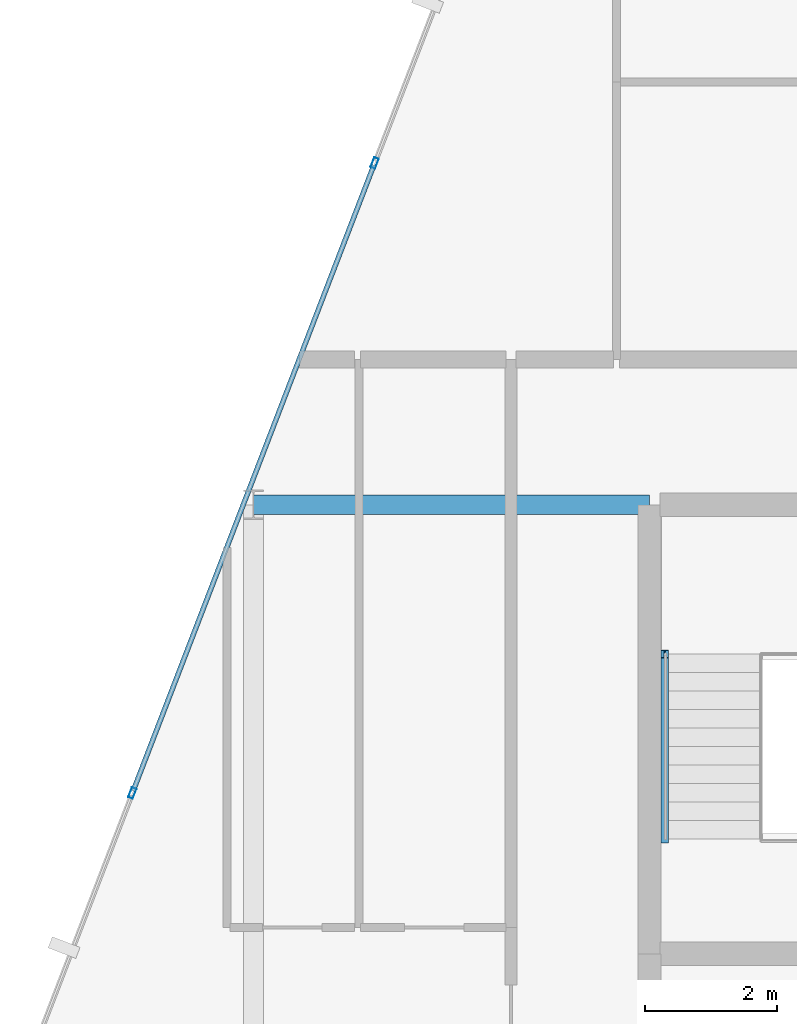
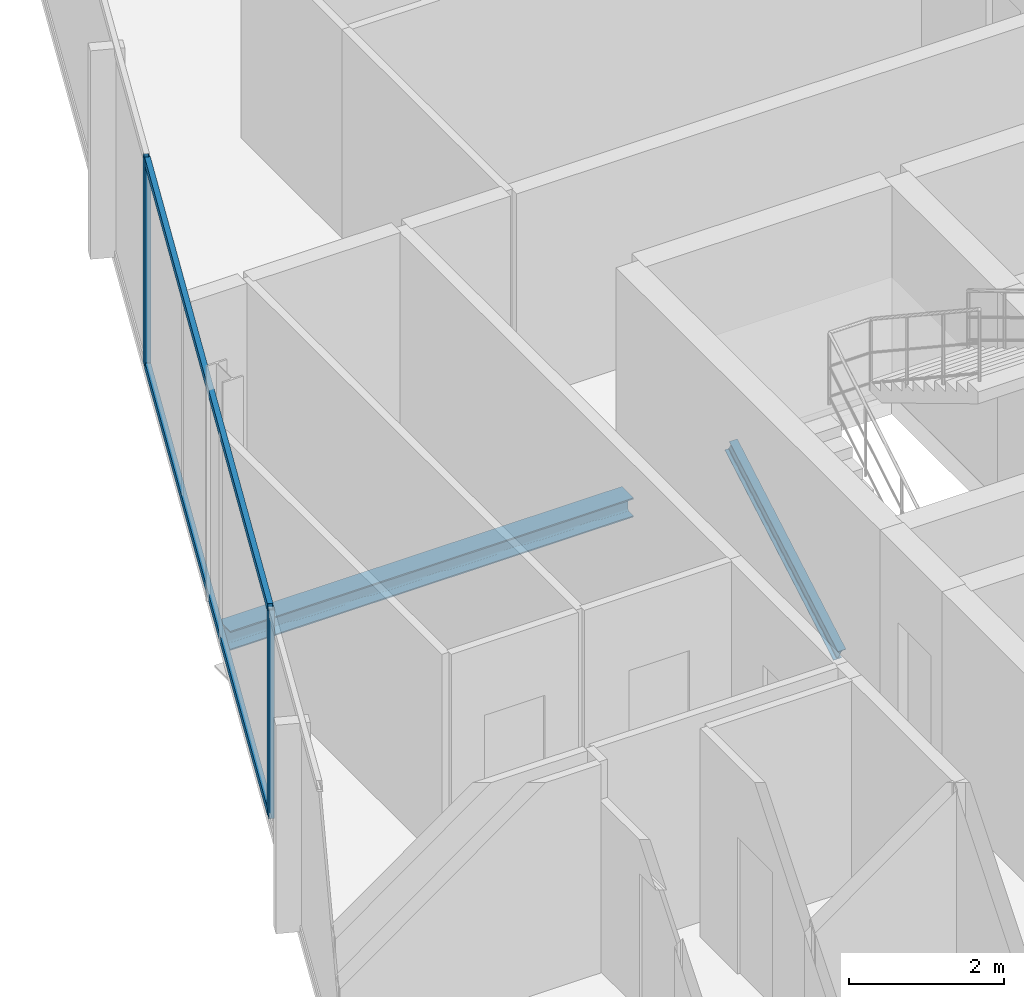
# One storey, part 16 of 28: 5 members, 1 beam, 1 element without a shape of its own.
"""IFC4 building model written with IfcOpenShell, lengths in metres."""

from ifc_helpers import new_model, si_unit, direction, frame, origin, origin_2d, place, context, subcontext, project, spatial, hollow_rectangle, i_section, extrude, material, layer, layer_set, material_profile, profile_set, type_object, element, aggregate, save


model = new_model("IFC4")

# Units and contexts
model_context = context("Model", 3, precision=1e-05, world=origin(), true_north=direction((0.0, 1.0)))
body_context = subcontext(model_context, "Body", "Model", "MODEL_VIEW")
ifc_project = project(units=[si_unit("LENGTHUNIT", "METRE"), si_unit("AREAUNIT", "SQUARE_METRE"), si_unit("VOLUMEUNIT", "CUBIC_METRE"), si_unit("PLANEANGLEUNIT", "RADIAN"), si_unit("MASSUNIT", "GRAM", prefix="KILO")], contexts=[model_context])

# Site, building, storey
site_placement = place(None, origin())
site = spatial("IfcSite", under=ifc_project, at=site_placement, CompositionType="ELEMENT")
building_placement = place(site_placement, origin())
building = spatial("IfcBuilding", under=site, at=building_placement, Name="Keshet Zoharim Tower", CompositionType="ELEMENT")
storey_placement = place(building_placement, frame((0.0, 0.0, 233.89990234375)))
storey = spatial("IfcBuildingStorey", under=building, at=storey_placement, Name="L58", CompositionType="ELEMENT", Elevation=233.89990234375)

# Beam
ifc_material_1 = material(Name="Steel S355", Category="steel")
ifc_material_profile_1 = material_profile(ifc_material_1, i_section(OverallWidth=0.300048828125, OverallDepth=0.300048828125, WebThickness=0.010986328125, FlangeThickness=0.01904296875, FilletRadius=0.027099609375, at=origin_2d()), Name="HEB300")
ifc_profile_set_1 = profile_set([ifc_material_profile_1], Name="Steel S355")
beam_type = type_object("IfcBeamType", Name="BM-PRI-HB300", PredefinedType="BEAM", material=ifc_profile_set_1)
beam_placement = place(storey_placement, frame((9.0, 37.89990234375, -0.4599609375), z_axis=(1.0, 0.0, 0.0), x_axis=(0.0, 1.0, 0.0)))
element("IfcBeam", 1, at=beam_placement, inside=storey, type_object=beam_type, Name="L58 Primary Girder X-017", PredefinedType="BEAM", context=body_context, shape_type="SweptSolid", body=[
    extrude(i_section(OverallWidth=0.300048828125, OverallDepth=0.300048828125, WebThickness=0.010986328125, FlangeThickness=0.01904296875, FilletRadius=0.027099609375, at=origin_2d()), origin(), (0.0, 0.0, 1.0), 6.0),
])

# Curtain wall, members
ifc_material_2 = material(Name="Aluminium 6063-T6", Category="aluminium")
ifc_layer = layer(ifc_material_2, 0.139892578125)
ifc_layer_set = layer_set([ifc_layer], Name="Aluminium 6063-T6")
curtain_wall_type = type_object("IfcCurtainWallType", Name="CW-SYS-05", PredefinedType="NOTDEFINED", material=ifc_layer_set)
curtain_wall_placement = place(storey_placement, origin())
curtain_wall = element("IfcCurtainWall", 2, at=curtain_wall_placement, inside=storey, type_object=curtain_wall_type, Name="L58 Unitised Curtain Wall 13", PredefinedType="NOTDEFINED")
ifc_material_profile_2 = material_profile(ifc_material_2, hollow_rectangle(XDim=0.074951171875, YDim=0.159912109375, WallThickness=0.00390625, at=origin_2d()), Name="MUL-75x160")
ifc_profile_set_2 = profile_set([ifc_material_profile_2], Name="Aluminium 6063-T6")
member_type_1 = type_object("IfcMemberType", Name="CWM-M15", PredefinedType="MULLION", material=ifc_profile_set_2)
member_1_placement = place(storey_placement, frame((7.1669921875, 33.53466796875, 0.0), z_axis=(0.0, 0.0, 1.0), x_axis=(-0.933341404361, 0.358990003907, 0.0)))
member_1 = element("IfcMember", 3, at=member_1_placement, type_object=member_type_1, Name="CW-05 mullion 2", PredefinedType="MULLION", context=body_context, shape_type="SweptSolid", body=[
    extrude(hollow_rectangle(XDim=0.074951171875, YDim=0.159912109375, WallThickness=0.00390625, at=origin_2d()), origin(), (0.0, 0.0, 1.0), 3.280029296875),
])
member_2_placement = place(storey_placement, frame((10.8369140625, 43.076416015625, 0.0), z_axis=(0.0, 0.0, 1.0), x_axis=(-0.933341404361, 0.358990003907, 0.0)))
member_2 = element("IfcMember", 4, at=member_2_placement, type_object=member_type_1, Name="CW-05 mullion 3", PredefinedType="MULLION", context=body_context, shape_type="SweptSolid", body=[
    extrude(hollow_rectangle(XDim=0.074951171875, YDim=0.159912109375, WallThickness=0.00390625, at=origin_2d()), origin(), (0.0, 0.0, 1.0), 3.280029296875),
])
ifc_material_profile_3 = material_profile(ifc_material_2, hollow_rectangle(XDim=0.074951171875, YDim=0.1201171875, WallThickness=0.00390625, at=origin_2d()), Name="TRN-75x120")
ifc_profile_set_3 = profile_set([ifc_material_profile_3], Name="Aluminium 6063-T6")
member_type_2 = type_object("IfcMemberType", Name="CWT-T12", PredefinedType="USERDEFINED", material=ifc_profile_set_3)
member_3_placement = place(storey_placement, frame((7.179443359375, 33.5673828125, 0.03515625), z_axis=(0.359003248899, 0.933336309848, 0.0), x_axis=(-0.933336309848, 0.359003248899, 0.0)))
member_3 = element("IfcMember", 5, at=member_3_placement, type_object=member_type_2, Name="CW-05 transom 2.1", ObjectType="TRANSOM", PredefinedType="USERDEFINED", context=body_context, shape_type="SweptSolid", body=[
    extrude(hollow_rectangle(XDim=0.074951171875, YDim=0.1201171875, WallThickness=0.00390625, at=origin_2d()), origin(), (0.0, 0.0, 1.0), 10.153076171875),
])
member_4_placement = place(storey_placement, frame((7.179443359375, 33.5673828125, 3.2451171875), z_axis=(0.359003248899, 0.933336309848, 0.0), x_axis=(-0.933336309848, 0.359003248899, 0.0)))
member_4 = element("IfcMember", 6, at=member_4_placement, type_object=member_type_2, Name="CW-05 transom 2.2", ObjectType="TRANSOM", PredefinedType="USERDEFINED", context=body_context, shape_type="SweptSolid", body=[
    extrude(hollow_rectangle(XDim=0.074951171875, YDim=0.1201171875, WallThickness=0.00390625, at=origin_2d()), origin(), (0.0, 0.0, 1.0), 10.153076171875),
])
aggregate(curtain_wall, [member_1, member_2, member_3, member_4])

# Member
ifc_material_profile_4 = material_profile(ifc_material_1, i_section(OverallWidth=0.1201171875, OverallDepth=0.239990234375, WebThickness=0.006103515625, FlangeThickness=0.009765625, FilletRadius=0.014892578125, at=origin_2d()), Name="IPE240")
ifc_profile_set_4 = profile_set([ifc_material_profile_4], Name="Steel S355")
member_type_3 = type_object("IfcMemberType", Name="MB-STRG-IP240", PredefinedType="STRINGER", material=ifc_profile_set_4)
member_5_placement = place(storey_placement, frame((15.22998046875, 32.840087890625, 0.1201171875), z_axis=(0.0, 0.866909569656, 0.498465443174), x_axis=(-1.0, 0.0, 0.0)))
element("IfcMember", 7, at=member_5_placement, inside=storey, type_object=member_type_3, Name="L58 ST-02 Flight Steel Stringer", PredefinedType="STRINGER", context=body_context, shape_type="SweptSolid", body=[
    extrude(i_section(OverallWidth=0.1201171875, OverallDepth=0.239990234375, WebThickness=0.006103515625, FlangeThickness=0.009765625, FilletRadius=0.014892578125, at=origin_2d()), origin(), (0.0, 0.0, 1.0), 3.229736328125),
])

save(model, "model.ifc")
